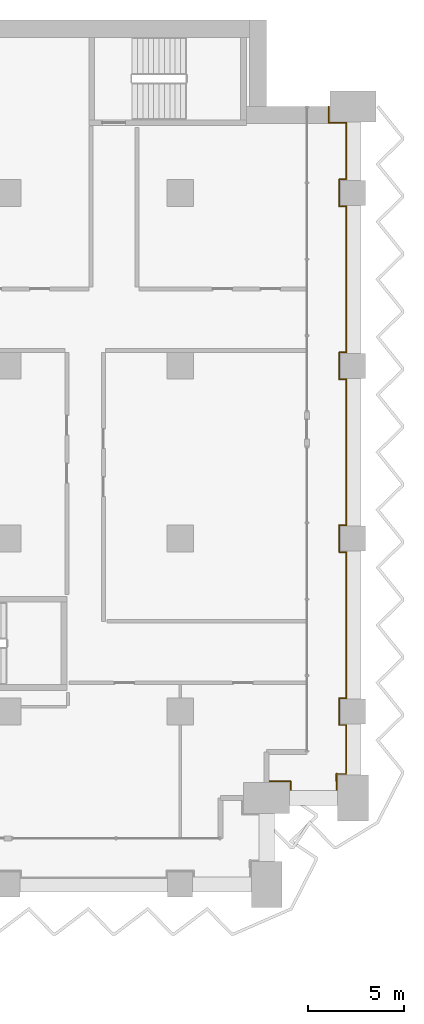
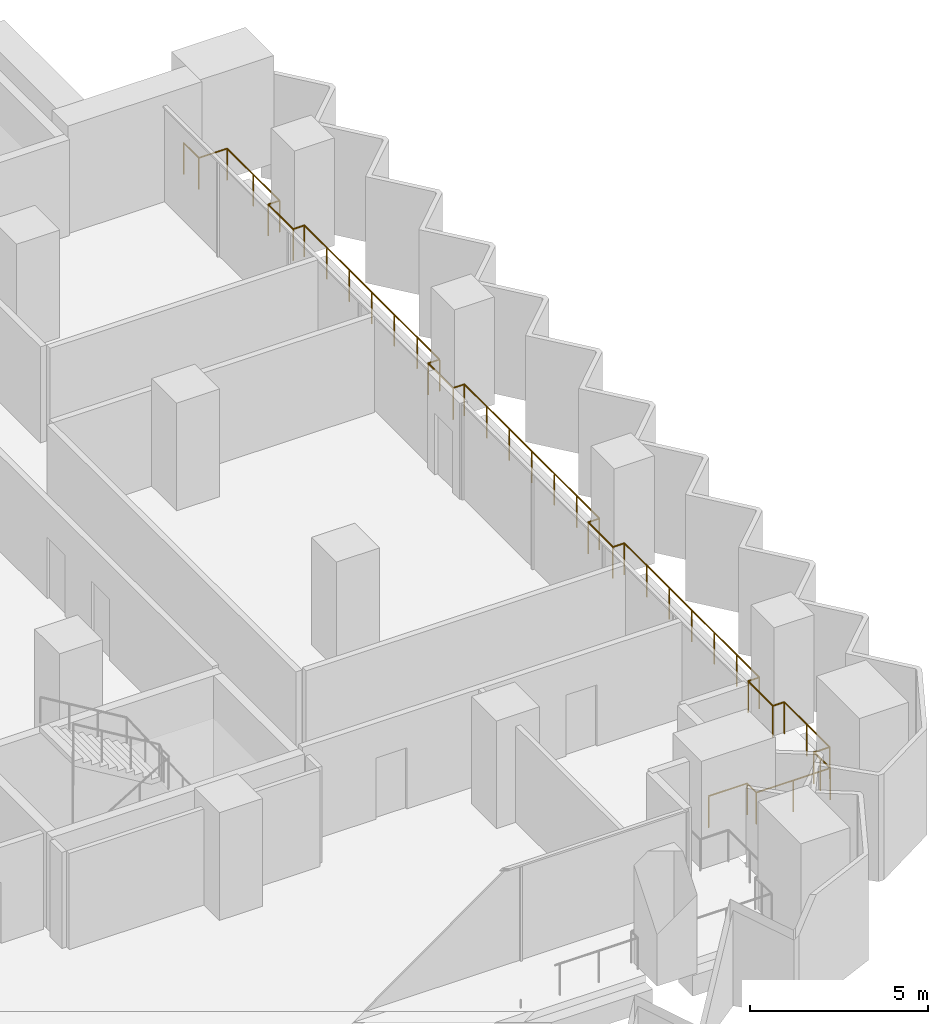
# One storey, part 28 of 28: 1 railing.
"""IFC4 building model written with IfcOpenShell, lengths in metres."""

from ifc_helpers import new_model, si_unit, direction, frame, origin, origin_2d, place, context, subcontext, project, spatial, circle, extrude, material, type_object, element, save


model = new_model("IFC4")

# Units and contexts
model_context = context("Model", 3, precision=1e-05, world=origin(), true_north=direction((0.0, 1.0)))
body_context = subcontext(model_context, "Body", "Model", "MODEL_VIEW")
ifc_project = project(units=[si_unit("LENGTHUNIT", "METRE"), si_unit("AREAUNIT", "SQUARE_METRE"), si_unit("VOLUMEUNIT", "CUBIC_METRE"), si_unit("PLANEANGLEUNIT", "RADIAN"), si_unit("MASSUNIT", "GRAM", prefix="KILO")], contexts=[model_context])

# Site, building, storey
site_placement = place(None, origin())
site = spatial("IfcSite", under=ifc_project, at=site_placement, CompositionType="ELEMENT")
building_placement = place(site_placement, origin())
building = spatial("IfcBuilding", under=site, at=building_placement, Name="Hunhe Ridgeline Campus", CompositionType="ELEMENT")
storey_placement = place(building_placement, frame((0.0, 0.0, 39.5)))
storey = spatial("IfcBuildingStorey", under=building, at=storey_placement, Name="L08", CompositionType="ELEMENT", Elevation=39.5)

# Railing
ifc_material = material(Name="Steel Q355", Category="steel")
railing_type = type_object("IfcRailingType", Name="Loggia guard 1100 Steel Q355", PredefinedType="GUARDRAIL", material=ifc_material)
railing_placement = place(storey_placement, frame((94.5, 59.3701171875, 0.0)))
element("IfcRailing", 1, at=railing_placement, inside=storey, type_object=railing_type, Name="Loggia guard 3", PredefinedType="GUARDRAIL", context=body_context, shape_type="SweptSolid", body=[
    extrude(circle(Radius=0.02392578125, at=origin_2d()), frame((0.0, 0.0, 1.076171875), z_axis=(1.0, 0.0, 0.0), x_axis=(0.0, 1.0, 0.0)), (0.0, 0.0, 1.0), 1.25),
    extrude(circle(Radius=0.02392578125, at=origin_2d()), frame((1.25, 0.0, 1.076171875), z_axis=(0.0, -1.0, 0.0), x_axis=(1.0, 0.0, 0.0)), (0.0, 0.0, 1.0), 0.52001953125),
    extrude(circle(Radius=0.02392578125, at=origin_2d()), frame((1.25, -0.52001953125, 1.076171875), z_axis=(1.0, 0.0, 0.0), x_axis=(0.0, 1.0, 0.0)), (0.0, 0.0, 1.0), 2.39990234375),
    extrude(circle(Radius=0.02392578125, at=origin_2d()), frame((3.64990234375, -0.52001953125, 1.076171875), z_axis=(0.0, 1.0, 0.0), x_axis=(-1.0, 0.0, 0.0)), (0.0, 0.0, 1.0), 0.919921875),
    extrude(circle(Radius=0.02392578125, at=origin_2d()), frame((3.64990234375, 0.39990234375, 1.076171875), z_axis=(-0.049998438503, -0.998749295943, 0.0), x_axis=(0.998749295943, -0.049998438503, 0.0)), (0.0, 0.0, 1.0), 0.400390625),
    extrude(circle(Radius=0.02392578125, at=origin_2d()), frame((3.6298828125, 0.0, 1.076171875), z_axis=(0.0, 1.0, 0.0), x_axis=(-1.0, 0.0, 0.0)), (0.0, 0.0, 1.0), 0.3798828125),
    extrude(circle(Radius=0.02392578125, at=origin_2d()), frame((3.6298828125, 0.3798828125, 1.076171875), z_axis=(1.0, 0.0, 0.0), x_axis=(0.0, 1.0, 0.0)), (0.0, 0.0, 1.0), 0.52001953125),
    extrude(circle(Radius=0.02392578125, at=origin_2d()), frame((4.14990234375, 0.3798828125, 1.076171875), z_axis=(0.0, 1.0, 0.0), x_axis=(-1.0, 0.0, 0.0)), (0.0, 0.0, 1.0), 2.550048828125),
    extrude(circle(Radius=0.02392578125, at=origin_2d()), frame((4.14990234375, 2.929931640625, 1.076171875), z_axis=(-1.0, 0.0, 0.0), x_axis=(0.0, -1.0, 0.0)), (0.0, 0.0, 1.0), 0.369873046875),
    extrude(circle(Radius=0.02392578125, at=origin_2d()), frame((3.780029296875, 2.929931640625, 1.076171875), z_axis=(0.0, 1.0, 0.0), x_axis=(-1.0, 0.0, 0.0)), (0.0, 0.0, 1.0), 1.39990234375),
    extrude(circle(Radius=0.02392578125, at=origin_2d()), frame((3.780029296875, 4.329833984375, 1.076171875), z_axis=(1.0, 0.0, 0.0), x_axis=(0.0, 1.0, 0.0)), (0.0, 0.0, 1.0), 0.369873046875),
    extrude(circle(Radius=0.02392578125, at=origin_2d()), frame((4.14990234375, 4.329833984375, 1.076171875), z_axis=(0.0, 1.0, 0.0), x_axis=(-1.0, 0.0, 0.0)), (0.0, 0.0, 1.0), 7.60009765625),
    extrude(circle(Radius=0.02392578125, at=origin_2d()), frame((4.14990234375, 11.929931640625, 1.076171875), z_axis=(-1.0, 0.0, 0.0), x_axis=(0.0, -1.0, 0.0)), (0.0, 0.0, 1.0), 0.369873046875),
    extrude(circle(Radius=0.02392578125, at=origin_2d()), frame((3.780029296875, 11.929931640625, 1.076171875), z_axis=(0.0, 1.0, 0.0), x_axis=(-1.0, 0.0, 0.0)), (0.0, 0.0, 1.0), 1.39990234375),
    extrude(circle(Radius=0.02392578125, at=origin_2d()), frame((3.780029296875, 13.329833984375, 1.076171875), z_axis=(1.0, 0.0, 0.0), x_axis=(0.0, 1.0, 0.0)), (0.0, 0.0, 1.0), 0.369873046875),
    extrude(circle(Radius=0.02392578125, at=origin_2d()), frame((4.14990234375, 13.329833984375, 1.076171875), z_axis=(0.0, 1.0, 0.0), x_axis=(-1.0, 0.0, 0.0)), (0.0, 0.0, 1.0), 7.60009765625),
    extrude(circle(Radius=0.02392578125, at=origin_2d()), frame((4.14990234375, 20.929931640625, 1.076171875), z_axis=(-1.0, 0.0, 0.0), x_axis=(0.0, -1.0, 0.0)), (0.0, 0.0, 1.0), 0.369873046875),
    extrude(circle(Radius=0.02392578125, at=origin_2d()), frame((3.780029296875, 20.929931640625, 1.076171875), z_axis=(0.0, 1.0, 0.0), x_axis=(-1.0, 0.0, 0.0)), (0.0, 0.0, 1.0), 1.39990234375),
    extrude(circle(Radius=0.02392578125, at=origin_2d()), frame((3.780029296875, 22.329833984375, 1.076171875), z_axis=(1.0, 0.0, 0.0), x_axis=(0.0, 1.0, 0.0)), (0.0, 0.0, 1.0), 0.369873046875),
    extrude(circle(Radius=0.02392578125, at=origin_2d()), frame((4.14990234375, 22.329833984375, 1.076171875), z_axis=(0.0, 1.0, 0.0), x_axis=(-1.0, 0.0, 0.0)), (0.0, 0.0, 1.0), 7.60009765625),
    extrude(circle(Radius=0.02392578125, at=origin_2d()), frame((4.14990234375, 29.929931640625, 1.076171875), z_axis=(-1.0, 0.0, 0.0), x_axis=(0.0, -1.0, 0.0)), (0.0, 0.0, 1.0), 0.369873046875),
    extrude(circle(Radius=0.02392578125, at=origin_2d()), frame((3.780029296875, 29.929931640625, 1.076171875), z_axis=(0.0, 1.0, 0.0), x_axis=(-1.0, 0.0, 0.0)), (0.0, 0.0, 1.0), 1.39990234375),
    extrude(circle(Radius=0.02392578125, at=origin_2d()), frame((3.780029296875, 31.329833984375, 1.076171875), z_axis=(1.0, 0.0, 0.0), x_axis=(0.0, 1.0, 0.0)), (0.0, 0.0, 1.0), 0.369873046875),
    extrude(circle(Radius=0.02392578125, at=origin_2d()), frame((4.14990234375, 31.329833984375, 1.076171875), z_axis=(0.0, 1.0, 0.0), x_axis=(-1.0, 0.0, 0.0)), (0.0, 0.0, 1.0), 2.949951171875),
    extrude(circle(Radius=0.02392578125, at=origin_2d()), frame((4.14990234375, 34.27978515625, 1.076171875), z_axis=(-1.0, 0.0, 0.0), x_axis=(0.0, -1.0, 0.0)), (0.0, 0.0, 1.0), 0.919921875),
    extrude(circle(Radius=0.02392578125, at=origin_2d()), frame((3.22998046875, 34.27978515625, 1.076171875), z_axis=(0.0, 1.0, 0.0), x_axis=(-1.0, 0.0, 0.0)), (0.0, 0.0, 1.0), 0.85009765625),
    extrude(circle(Radius=0.02099609375, at=origin_2d()), origin(), (0.0, 0.0, 1.0), 1.052001953125),
    extrude(circle(Radius=0.02099609375, at=origin_2d()), frame((1.25, 0.0, 0.0)), (0.0, 0.0, 1.0), 1.052001953125),
    extrude(circle(Radius=0.02099609375, at=origin_2d()), frame((1.25, -0.52001953125, 0.0)), (0.0, 0.0, 1.0), 1.052001953125),
    extrude(circle(Radius=0.02099609375, at=origin_2d()), frame((2.449951171875, -0.52001953125, 0.0)), (0.0, 0.0, 1.0), 1.052001953125),
    extrude(circle(Radius=0.02099609375, at=origin_2d()), frame((3.64990234375, -0.52001953125, 0.0)), (0.0, 0.0, 1.0), 1.052001953125),
    extrude(circle(Radius=0.02099609375, at=origin_2d()), frame((3.64990234375, 0.39990234375, 0.0)), (0.0, 0.0, 1.0), 1.052001953125),
    extrude(circle(Radius=0.02099609375, at=origin_2d()), frame((3.6298828125, 0.0, 0.0)), (0.0, 0.0, 1.0), 1.052001953125),
    extrude(circle(Radius=0.02099609375, at=origin_2d()), frame((3.6298828125, 0.3798828125, 0.0)), (0.0, 0.0, 1.0), 1.052001953125),
    extrude(circle(Radius=0.02099609375, at=origin_2d()), frame((4.14990234375, 0.3798828125, 0.0)), (0.0, 0.0, 1.0), 1.052001953125),
    extrude(circle(Radius=0.02099609375, at=origin_2d()), frame((4.14990234375, 1.65478515625, 0.0)), (0.0, 0.0, 1.0), 1.052001953125),
    extrude(circle(Radius=0.02099609375, at=origin_2d()), frame((4.14990234375, 2.929931640625, 0.0)), (0.0, 0.0, 1.0), 1.052001953125),
    extrude(circle(Radius=0.02099609375, at=origin_2d()), frame((3.780029296875, 2.929931640625, 0.0)), (0.0, 0.0, 1.0), 1.052001953125),
    extrude(circle(Radius=0.02099609375, at=origin_2d()), frame((3.780029296875, 4.329833984375, 0.0)), (0.0, 0.0, 1.0), 1.052001953125),
    extrude(circle(Radius=0.02099609375, at=origin_2d()), frame((4.14990234375, 4.329833984375, 0.0)), (0.0, 0.0, 1.0), 1.052001953125),
    extrude(circle(Radius=0.02099609375, at=origin_2d()), frame((4.14990234375, 5.596435546875, 0.0)), (0.0, 0.0, 1.0), 1.052001953125),
    extrude(circle(Radius=0.02099609375, at=origin_2d()), frame((4.14990234375, 6.86328125, 0.0)), (0.0, 0.0, 1.0), 1.052001953125),
    extrude(circle(Radius=0.02099609375, at=origin_2d()), frame((4.14990234375, 8.1298828125, 0.0)), (0.0, 0.0, 1.0), 1.052001953125),
    extrude(circle(Radius=0.02099609375, at=origin_2d()), frame((4.14990234375, 9.396484375, 0.0)), (0.0, 0.0, 1.0), 1.052001953125),
    extrude(circle(Radius=0.02099609375, at=origin_2d()), frame((4.14990234375, 10.663330078125, 0.0)), (0.0, 0.0, 1.0), 1.052001953125),
    extrude(circle(Radius=0.02099609375, at=origin_2d()), frame((4.14990234375, 11.929931640625, 0.0)), (0.0, 0.0, 1.0), 1.052001953125),
    extrude(circle(Radius=0.02099609375, at=origin_2d()), frame((3.780029296875, 11.929931640625, 0.0)), (0.0, 0.0, 1.0), 1.052001953125),
    extrude(circle(Radius=0.02099609375, at=origin_2d()), frame((3.780029296875, 13.329833984375, 0.0)), (0.0, 0.0, 1.0), 1.052001953125),
    extrude(circle(Radius=0.02099609375, at=origin_2d()), frame((4.14990234375, 13.329833984375, 0.0)), (0.0, 0.0, 1.0), 1.052001953125),
    extrude(circle(Radius=0.02099609375, at=origin_2d()), frame((4.14990234375, 14.596435546875, 0.0)), (0.0, 0.0, 1.0), 1.052001953125),
    extrude(circle(Radius=0.02099609375, at=origin_2d()), frame((4.14990234375, 15.86328125, 0.0)), (0.0, 0.0, 1.0), 1.052001953125),
    extrude(circle(Radius=0.02099609375, at=origin_2d()), frame((4.14990234375, 17.1298828125, 0.0)), (0.0, 0.0, 1.0), 1.052001953125),
    extrude(circle(Radius=0.02099609375, at=origin_2d()), frame((4.14990234375, 18.396484375, 0.0)), (0.0, 0.0, 1.0), 1.052001953125),
    extrude(circle(Radius=0.02099609375, at=origin_2d()), frame((4.14990234375, 19.663330078125, 0.0)), (0.0, 0.0, 1.0), 1.052001953125),
    extrude(circle(Radius=0.02099609375, at=origin_2d()), frame((4.14990234375, 20.929931640625, 0.0)), (0.0, 0.0, 1.0), 1.052001953125),
    extrude(circle(Radius=0.02099609375, at=origin_2d()), frame((3.780029296875, 20.929931640625, 0.0)), (0.0, 0.0, 1.0), 1.052001953125),
    extrude(circle(Radius=0.02099609375, at=origin_2d()), frame((3.780029296875, 22.329833984375, 0.0)), (0.0, 0.0, 1.0), 1.052001953125),
    extrude(circle(Radius=0.02099609375, at=origin_2d()), frame((4.14990234375, 22.329833984375, 0.0)), (0.0, 0.0, 1.0), 1.052001953125),
    extrude(circle(Radius=0.02099609375, at=origin_2d()), frame((4.14990234375, 23.596435546875, 0.0)), (0.0, 0.0, 1.0), 1.052001953125),
    extrude(circle(Radius=0.02099609375, at=origin_2d()), frame((4.14990234375, 24.86328125, 0.0)), (0.0, 0.0, 1.0), 1.052001953125),
    extrude(circle(Radius=0.02099609375, at=origin_2d()), frame((4.14990234375, 26.1298828125, 0.0)), (0.0, 0.0, 1.0), 1.052001953125),
    extrude(circle(Radius=0.02099609375, at=origin_2d()), frame((4.14990234375, 27.396484375, 0.0)), (0.0, 0.0, 1.0), 1.052001953125),
    extrude(circle(Radius=0.02099609375, at=origin_2d()), frame((4.14990234375, 28.663330078125, 0.0)), (0.0, 0.0, 1.0), 1.052001953125),
    extrude(circle(Radius=0.02099609375, at=origin_2d()), frame((4.14990234375, 29.929931640625, 0.0)), (0.0, 0.0, 1.0), 1.052001953125),
    extrude(circle(Radius=0.02099609375, at=origin_2d()), frame((3.780029296875, 29.929931640625, 0.0)), (0.0, 0.0, 1.0), 1.052001953125),
    extrude(circle(Radius=0.02099609375, at=origin_2d()), frame((3.780029296875, 31.329833984375, 0.0)), (0.0, 0.0, 1.0), 1.052001953125),
    extrude(circle(Radius=0.02099609375, at=origin_2d()), frame((4.14990234375, 31.329833984375, 0.0)), (0.0, 0.0, 1.0), 1.052001953125),
    extrude(circle(Radius=0.02099609375, at=origin_2d()), frame((4.14990234375, 32.8046875, 0.0)), (0.0, 0.0, 1.0), 1.052001953125),
    extrude(circle(Radius=0.02099609375, at=origin_2d()), frame((4.14990234375, 34.27978515625, 0.0)), (0.0, 0.0, 1.0), 1.052001953125),
    extrude(circle(Radius=0.02099609375, at=origin_2d()), frame((3.22998046875, 34.27978515625, 0.0)), (0.0, 0.0, 1.0), 1.052001953125),
    extrude(circle(Radius=0.02099609375, at=origin_2d()), frame((3.22998046875, 35.1298828125, 0.0)), (0.0, 0.0, 1.0), 1.052001953125),
])

save(model, "model.ifc")
